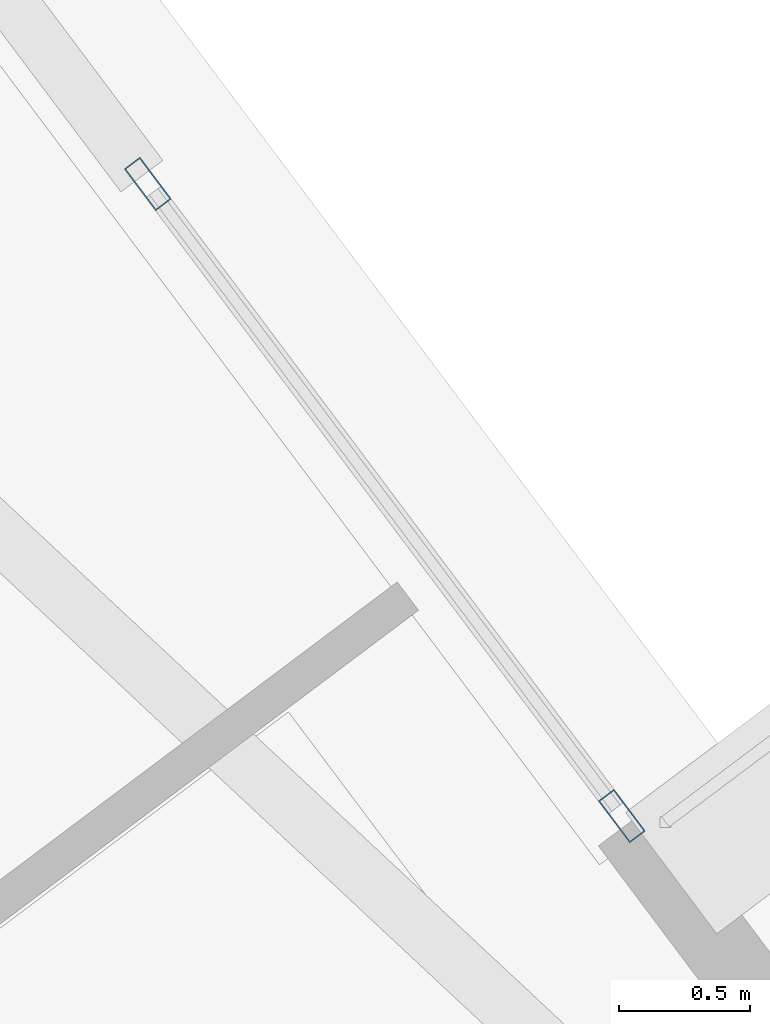
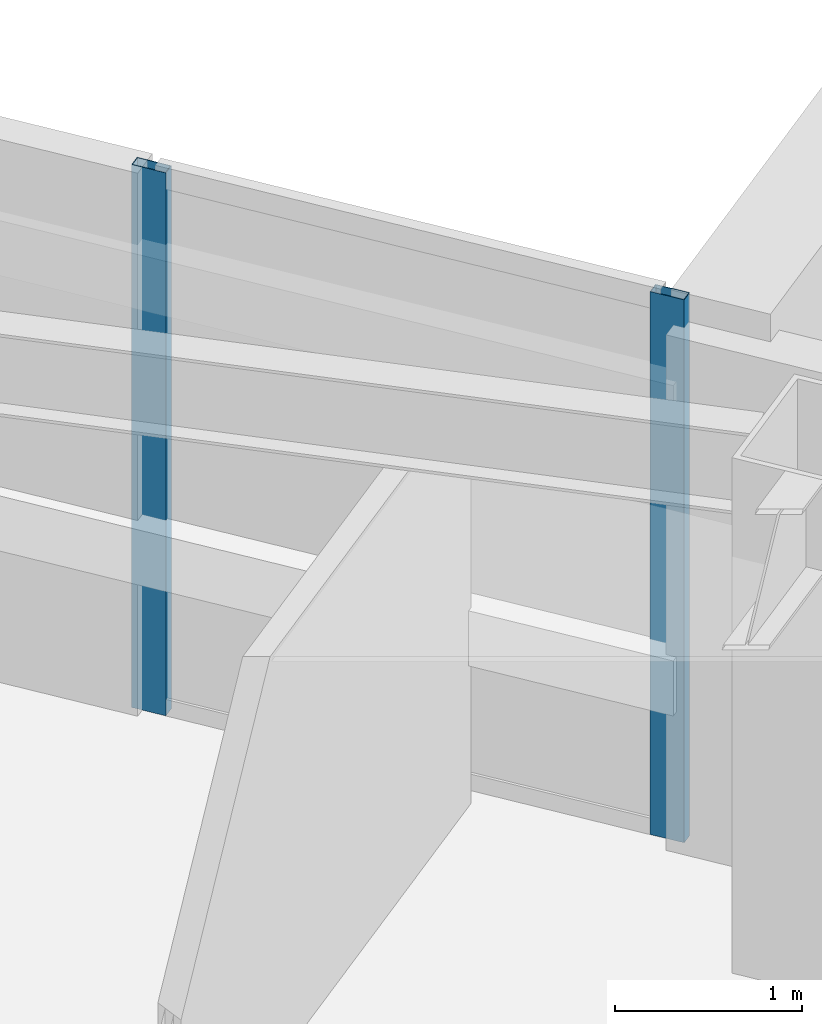
# One storey, part 28 of 41: 2 members, 1 element without a shape of its own.
"""IFC4 building model written with IfcOpenShell, lengths in metres."""

from ifc_helpers import new_model, si_unit, direction, frame, origin, origin_2d, place, context, subcontext, project, spatial, hollow_rectangle, extrude, material, material_profile, profile_set, type_object, element, aggregate, save


model = new_model("IFC4")

# Units and contexts
model_context = context("Model", 3, precision=1e-05, world=origin(), true_north=direction((0.0, 1.0)))
body_context = subcontext(model_context, "Body", "Model", "MODEL_VIEW")
ifc_project = project(units=[si_unit("LENGTHUNIT", "METRE"), si_unit("AREAUNIT", "SQUARE_METRE"), si_unit("VOLUMEUNIT", "CUBIC_METRE"), si_unit("PLANEANGLEUNIT", "RADIAN"), si_unit("MASSUNIT", "GRAM", prefix="KILO")], contexts=[model_context])

# Site, building, storey
site_placement = place(None, origin())
site = spatial("IfcSite", under=ifc_project, at=site_placement, CompositionType="ELEMENT")
building_placement = place(site_placement, origin())
building = spatial("IfcBuilding", under=site, at=building_placement, Name="Tashvorn Skyway Center", CompositionType="ELEMENT")
storey_placement = place(building_placement, frame((0.0, 0.0, 146.35009765625)))
storey = spatial("IfcBuildingStorey", under=building, at=storey_placement, Name="L39", CompositionType="ELEMENT", Elevation=146.35009765625)

# Curtain wall, members
ifc_material = material(Name="Thermally broken bronze-anodized aluminium 6063-T6", Category="aluminium")
curtain_wall_type = type_object("IfcCurtainWallType", Name="CW-CW-Z3", PredefinedType="NOTDEFINED", material=ifc_material)
curtain_wall_placement = place(storey_placement, origin())
curtain_wall = element("IfcCurtainWall", 1, at=curtain_wall_placement, inside=storey, type_object=curtain_wall_type, Name="Tower 2 L39 East Curtain Wall L Glazing Group 1", PredefinedType="NOTDEFINED")
ifc_material_profile = material_profile(ifc_material, hollow_rectangle(XDim=0.074951171875, YDim=0.199951171875, WallThickness=0.00439453125, at=origin_2d()), Name="ALU-MULL-75x200")
ifc_profile_set = profile_set([ifc_material_profile], Name="Thermally broken bronze-anodized aluminium 6063-T6")
member_type = type_object("IfcMemberType", Name="CWM-CW-Z3", PredefinedType="MULLION", material=ifc_profile_set)
member_1_placement = place(storey_placement, frame((122.83056640625, 50.692626953125, 0.0), z_axis=(0.0, 0.0, 1.0), x_axis=(0.800003879262, 0.599994827616, 0.0)))
member_1 = element("IfcMember", 2, at=member_1_placement, type_object=member_type, Name="CW-Z3 mullion 1", PredefinedType="MULLION", context=body_context, shape_type="SweptSolid", body=[
    extrude(hollow_rectangle(XDim=0.074951171875, YDim=0.199951171875, WallThickness=0.00439453125, at=origin_2d()), origin(), (0.0, 0.0, 1.0), 3.5498046875),
])
member_2_placement = place(storey_placement, frame((124.6416015625, 48.278076171875, 0.0), z_axis=(0.0, 0.0, 1.0), x_axis=(0.800003879262, 0.599994827616, 0.0)))
member_2 = element("IfcMember", 3, at=member_2_placement, type_object=member_type, Name="CW-Z3 mullion 2", PredefinedType="MULLION", context=body_context, shape_type="SweptSolid", body=[
    extrude(hollow_rectangle(XDim=0.074951171875, YDim=0.199951171875, WallThickness=0.00439453125, at=origin_2d()), origin(), (0.0, 0.0, 1.0), 3.5498046875),
])
aggregate(curtain_wall, [member_1, member_2])

save(model, "model.ifc")
